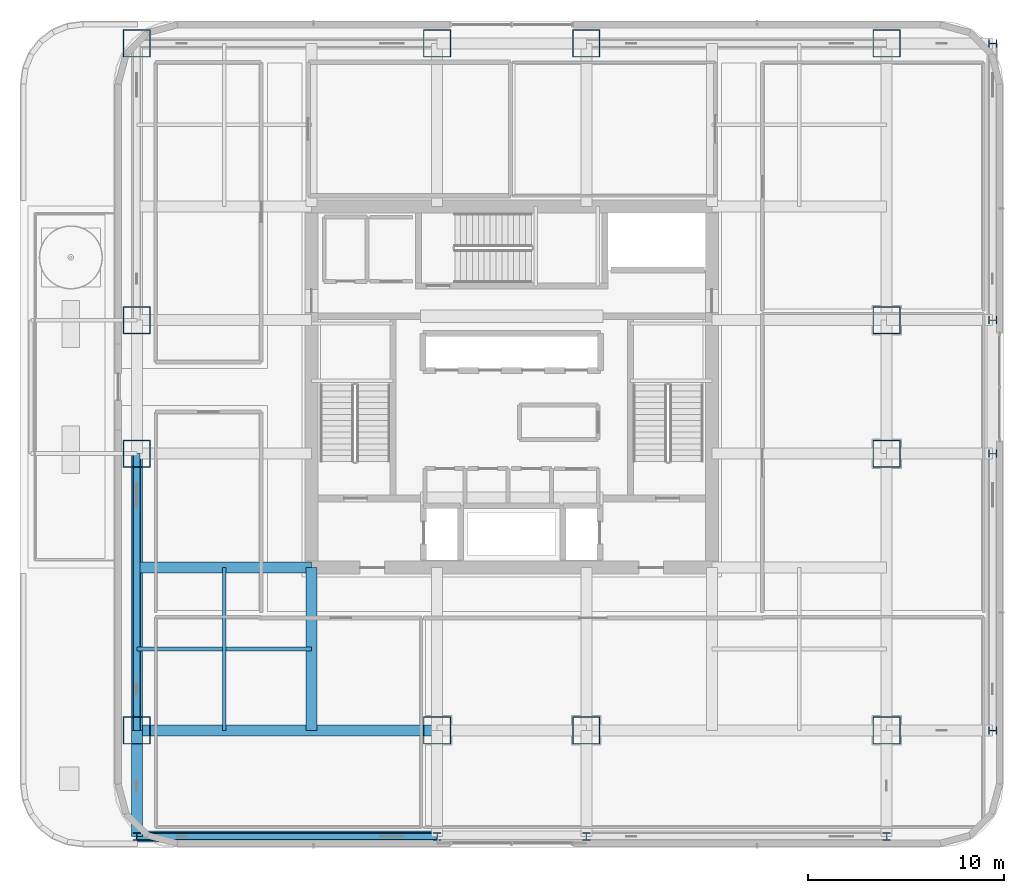
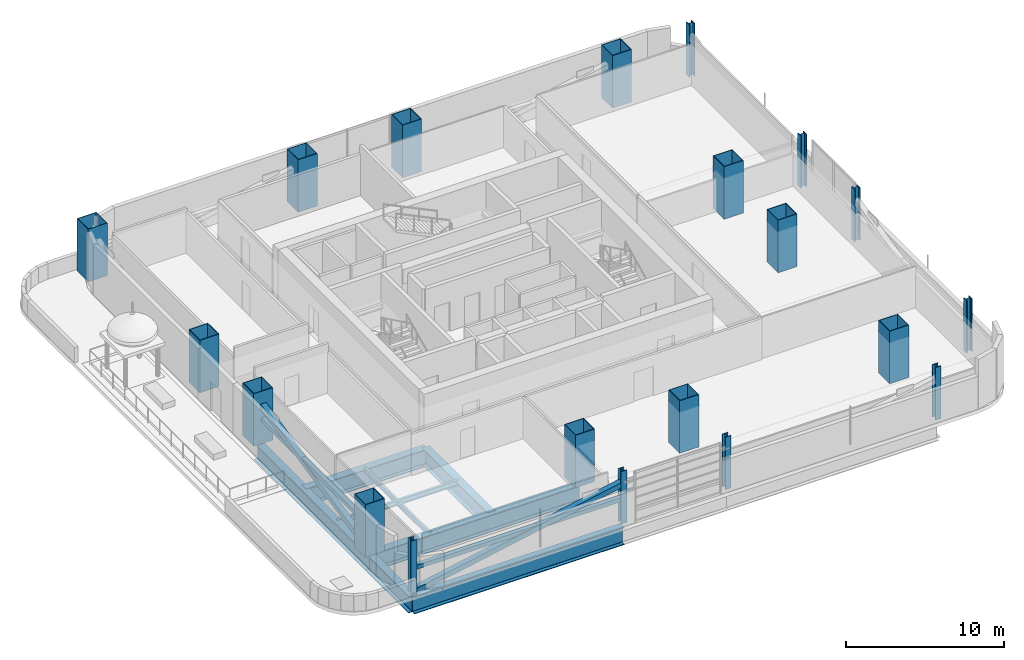
# One storey, part 1 of 27: 20 columns, 8 beams, 4 members.
"""IFC4 building model written with IfcOpenShell, lengths in metres."""

from ifc_helpers import new_model, si_unit, direction, frame, origin, origin_2d, place, context, subcontext, project, spatial, hollow_rectangle, i_section, extrude, material, material_profile, profile_set, type_object, element, save


model = new_model("IFC4")

# Units and contexts
model_context = context("Model", 3, precision=1e-05, world=origin(), true_north=direction((0.0, 1.0)))
body_context = subcontext(model_context, "Body", "Model", "MODEL_VIEW")
ifc_project = project(units=[si_unit("LENGTHUNIT", "METRE"), si_unit("AREAUNIT", "SQUARE_METRE"), si_unit("VOLUMEUNIT", "CUBIC_METRE"), si_unit("PLANEANGLEUNIT", "RADIAN"), si_unit("MASSUNIT", "GRAM", prefix="KILO")], contexts=[model_context])

# Site, building, storey
site_placement = place(None, origin())
site = spatial("IfcSite", under=ifc_project, at=site_placement, CompositionType="ELEMENT")
building_placement = place(site_placement, origin())
building = spatial("IfcBuilding", under=site, at=building_placement, Name="Punatoya Terracotta Tower", CompositionType="ELEMENT")
storey_placement = place(building_placement, frame((0.0, 0.0, 204.60009765625)))
storey = spatial("IfcBuildingStorey", under=building, at=storey_placement, Name="L48", CompositionType="ELEMENT", Elevation=204.60009765625)

# Columns
ifc_material_1 = material(Name="Steel S460", Category="steel")
ifc_material_profile_1 = material_profile(ifc_material_1, i_section(OverallWidth=0.408935546875, OverallDepth=0.425048828125, WebThickness=0.031982421875, FlangeThickness=0.052001953125, FilletRadius=0.01806640625, at=origin_2d()))
ifc_profile_set_1 = profile_set([ifc_material_profile_1], Name="Steel S460")
column_type_1 = type_object("IfcColumnType", Name="COL-EX-M2", PredefinedType="COLUMN", material=ifc_profile_set_1)
for number, where, z_axis, x_axis, name in (
    (1, (-19.10009765625, -22.89990234375, 0.0), (0.0, 0.0, 1.0), (1.0, 0.0, 0.0), "L48 Exoskeleton Perimeter Column S1"),
    (2, (-3.800048828125, -22.89990234375, 0.0), (0.0, 0.0, 1.0), (1.0, 0.0, 0.0), "L48 Exoskeleton Perimeter Column S2"),
    (3, (3.800048828125, -22.89990234375, 0.0), (0.0, 0.0, 1.0), (1.0, 0.0, 0.0), "L48 Exoskeleton Perimeter Column S3"),
    (4, (19.10009765625, -22.89990234375, 0.0), (0.0, 0.0, 1.0), (1.0, 0.0, 0.0), "L48 Exoskeleton Perimeter Column S4"),
    (5, (24.5, -17.5, 0.0), (0.0, 0.0, 1.0), (0.0, 1.0, 0.0), "L48 Exoskeleton Perimeter Column E1"),
    (6, (24.5, -3.39990234375, 0.0), (0.0, 0.0, 1.0), (0.0, 1.0, 0.0), "L48 Exoskeleton Perimeter Column E2"),
    (7, (24.5, 3.39990234375, 0.0), (0.0, 0.0, 1.0), (0.0, 1.0, 0.0), "L48 Exoskeleton Perimeter Column E3"),
    (8, (24.5, 17.5, 0.0), (0.0, 0.0, 1.0), (0.0, 1.0, 0.0), "L48 Exoskeleton Perimeter Column E4"),
):
    element("IfcColumn", number, at=place(storey_placement, frame(where, z_axis=z_axis, x_axis=x_axis)), inside=storey, type_object=column_type_1, Name=name, PredefinedType="COLUMN", context=body_context, shape_type="SweptSolid", body=[
        extrude(i_section(OverallWidth=0.408935546875, OverallDepth=0.425048828125, WebThickness=0.031982421875, FlangeThickness=0.052001953125, FilletRadius=0.01806640625, at=origin_2d()), origin(), (0.0, 0.0, 1.0), 4.0478515625),
    ])
ifc_material_profile_2 = material_profile(ifc_material_1, hollow_rectangle(XDim=1.39990234375, YDim=1.39990234375, WallThickness=0.0419921875, at=origin_2d()))
ifc_profile_set_2 = profile_set([ifc_material_profile_2], Name="Steel S460")
column_type_2 = type_object("IfcColumnType", Name="COL-MC-Z2", PredefinedType="COLUMN", material=ifc_profile_set_2)
for number, where, z_axis, x_axis, name in (
    (9, (-19.10009765625, -17.5, 0.0), (0.0, 0.0, 1.0), (1.0, 0.0, 0.0), "L48 Composite Mega-Column MC-01 (3-B)"),
    (10, (-3.800048828125, -17.5, 0.0), (0.0, 0.0, 1.0), (1.0, 0.0, 0.0), "L48 Composite Mega-Column MC-02 (5-B)"),
    (11, (3.800048828125, -17.5, 0.0), (0.0, 0.0, 1.0), (1.0, 0.0, 0.0), "L48 Composite Mega-Column MC-03 (7-B)"),
    (12, (19.10009765625, -17.5, 0.0), (0.0, 0.0, 1.0), (1.0, 0.0, 0.0), "L48 Composite Mega-Column MC-04 (9-B)"),
    (13, (19.10009765625, -3.39990234375, 0.0), (0.0, 0.0, 1.0), (1.0, 0.0, 0.0), "L48 Composite Mega-Column MC-05 (9-D)"),
    (14, (19.10009765625, 3.39990234375, 0.0), (0.0, 0.0, 1.0), (1.0, 0.0, 0.0), "L48 Composite Mega-Column MC-06 (9-E)"),
    (15, (19.10009765625, 17.5, 0.0), (0.0, 0.0, 1.0), (1.0, 0.0, 0.0), "L48 Composite Mega-Column MC-07 (9-G)"),
    (16, (3.800048828125, 17.5, 0.0), (0.0, 0.0, 1.0), (1.0, 0.0, 0.0), "L48 Composite Mega-Column MC-08 (7-G)"),
    (17, (-3.800048828125, 17.5, 0.0), (0.0, 0.0, 1.0), (1.0, 0.0, 0.0), "L48 Composite Mega-Column MC-09 (5-G)"),
    (18, (-19.10009765625, 17.5, 0.0), (0.0, 0.0, 1.0), (1.0, 0.0, 0.0), "L48 Composite Mega-Column MC-10 (3-G)"),
    (19, (-19.10009765625, 3.39990234375, 0.0), (0.0, 0.0, 1.0), (1.0, 0.0, 0.0), "L48 Composite Mega-Column MC-11 (3-E)"),
    (20, (-19.10009765625, -3.39990234375, 0.0), (0.0, 0.0, 1.0), (1.0, 0.0, 0.0), "L48 Composite Mega-Column MC-12 (3-D)"),
):
    element("IfcColumn", number, at=place(storey_placement, frame(where, z_axis=z_axis, x_axis=x_axis)), inside=storey, type_object=column_type_2, Name=name, PredefinedType="COLUMN", context=body_context, shape_type="SweptSolid", body=[
        extrude(hollow_rectangle(XDim=1.39990234375, YDim=1.39990234375, WallThickness=0.0419921875, at=origin_2d()), origin(), (0.0, 0.0, 1.0), 4.0498046875),
    ])

# Beams
ifc_material_2 = material(Name="Steel S355", Category="steel")
ifc_material_profile_3 = material_profile(ifc_material_2, i_section(OverallWidth=0.179931640625, OverallDepth=0.39990234375, WebThickness=0.008544921875, FlangeThickness=0.013427734375, FilletRadius=0.01806640625, at=origin_2d()))
ifc_profile_set_3 = profile_set([ifc_material_profile_3], Name="Steel S355")
beam_type_1 = type_object("IfcBeamType", Name="BM-SEC-400", PredefinedType="JOIST", material=ifc_profile_set_3)
beam_1_placement = place(storey_placement, frame((-19.10009765625, -13.35009765625, -0.47998046875), z_axis=(1.0, 0.0, 0.0), x_axis=(0.0, 1.0, 0.0)))
element("IfcBeam", 21, at=beam_1_placement, inside=storey, type_object=beam_type_1, Name="BM-L48-SJS-1", PredefinedType="JOIST", context=body_context, shape_type="SweptSolid", body=[
    extrude(i_section(OverallWidth=0.179931640625, OverallDepth=0.39990234375, WebThickness=0.008544921875, FlangeThickness=0.013427734375, FilletRadius=0.01806640625, at=origin_2d()), origin(), (0.0, 0.0, 1.0), 8.900146484375),
])
beam_2_placement = place(storey_placement, frame((-14.64990234375, -17.5, -0.47998046875), z_axis=(0.0, 1.0, 0.0), x_axis=(-1.0, 0.0, 0.0)))
element("IfcBeam", 22, at=beam_2_placement, inside=storey, type_object=beam_type_1, Name="BM-L48-SJW-1", PredefinedType="JOIST", context=body_context, shape_type="SweptSolid", body=[
    extrude(i_section(OverallWidth=0.179931640625, OverallDepth=0.39990234375, WebThickness=0.008544921875, FlangeThickness=0.013427734375, FilletRadius=0.01806640625, at=origin_2d()), origin(), (0.0, 0.0, 1.0), 8.300048828125),
])
ifc_material_profile_4 = material_profile(ifc_material_1, i_section(OverallWidth=0.56005859375, OverallDepth=1.320068359375, WebThickness=0.035888671875, FlangeThickness=0.054931640625, FilletRadius=0.01806640625, at=origin_2d()))
ifc_profile_set_4 = profile_set([ifc_material_profile_4], Name="Steel S460")
beam_type_2 = type_object("IfcBeamType", Name="BM-TG-BLK", PredefinedType="BEAM", material=ifc_profile_set_4)
beam_3_placement = place(storey_placement, frame((-19.10009765625, -17.5, -0.940185546875), z_axis=(1.0, 0.0, 0.0), x_axis=(0.0, 1.0, 0.0)))
element("IfcBeam", 23, at=beam_3_placement, inside=storey, type_object=beam_type_2, Name="BM-L48-RG-S1", PredefinedType="BEAM", context=body_context, shape_type="SweptSolid", body=[
    extrude(i_section(OverallWidth=0.56005859375, OverallDepth=1.320068359375, WebThickness=0.035888671875, FlangeThickness=0.054931640625, FilletRadius=0.01806640625, at=origin_2d()), origin(), (0.0, 0.0, 1.0), 15.300048828125),
])
beam_4_placement = place(storey_placement, frame((-19.10009765625, -17.5, -0.940185546875), z_axis=(0.0, 1.0, 0.0), x_axis=(-1.0, 0.0, 0.0)))
element("IfcBeam", 24, at=beam_4_placement, inside=storey, type_object=beam_type_2, Name="BM-L48-RG-W1", PredefinedType="BEAM", context=body_context, shape_type="SweptSolid", body=[
    extrude(i_section(OverallWidth=0.56005859375, OverallDepth=1.320068359375, WebThickness=0.035888671875, FlangeThickness=0.054931640625, FilletRadius=0.01806640625, at=origin_2d()), origin(), (0.0, 0.0, 1.0), 14.10009765625),
])
beam_5_placement = place(storey_placement, frame((-19.10009765625, -9.199951171875, -0.940185546875), z_axis=(1.0, 0.0, 0.0), x_axis=(0.0, 1.0, 0.0)))
element("IfcBeam", 25, at=beam_5_placement, inside=storey, type_object=beam_type_2, Name="BM-L48-PR-WS", PredefinedType="BEAM", context=body_context, shape_type="SweptSolid", body=[
    extrude(i_section(OverallWidth=0.56005859375, OverallDepth=1.320068359375, WebThickness=0.035888671875, FlangeThickness=0.054931640625, FilletRadius=0.01806640625, at=origin_2d()), origin(), (0.0, 0.0, 1.0), 8.900146484375),
])
beam_6_placement = place(storey_placement, frame((-10.199951171875, -17.5, -0.940185546875), z_axis=(0.0, 1.0, 0.0), x_axis=(-1.0, 0.0, 0.0)))
element("IfcBeam", 26, at=beam_6_placement, inside=storey, type_object=beam_type_2, Name="BM-L48-PR-S1", PredefinedType="BEAM", context=body_context, shape_type="SweptSolid", body=[
    extrude(i_section(OverallWidth=0.56005859375, OverallDepth=1.320068359375, WebThickness=0.035888671875, FlangeThickness=0.054931640625, FilletRadius=0.01806640625, at=origin_2d()), origin(), (0.0, 0.0, 1.0), 8.300048828125),
])
beam_7_placement = place(storey_placement, frame((-19.10009765625, -22.89990234375, -0.940185546875), z_axis=(0.0, 1.0, 0.0), x_axis=(-1.0, 0.0, 0.0)))
element("IfcBeam", 27, at=beam_7_placement, inside=storey, type_object=beam_type_2, Name="BM-L48-CANT-S1", PredefinedType="BEAM", context=body_context, shape_type="SweptSolid", body=[
    extrude(i_section(OverallWidth=0.56005859375, OverallDepth=1.320068359375, WebThickness=0.035888671875, FlangeThickness=0.054931640625, FilletRadius=0.01806640625, at=origin_2d()), origin(), (0.0, 0.0, 1.0), 5.39990234375),
])
beam_8_placement = place(storey_placement, frame((-19.10009765625, -22.89990234375, -0.940185546875), z_axis=(1.0, 0.0, 0.0), x_axis=(0.0, 1.0, 0.0)))
element("IfcBeam", 28, at=beam_8_placement, inside=storey, type_object=beam_type_2, Name="BM-L48-PER-S1", PredefinedType="BEAM", context=body_context, shape_type="SweptSolid", body=[
    extrude(i_section(OverallWidth=0.56005859375, OverallDepth=1.320068359375, WebThickness=0.035888671875, FlangeThickness=0.054931640625, FilletRadius=0.01806640625, at=origin_2d()), origin(), (0.0, 0.0, 1.0), 15.300048828125),
])

# Members
ifc_material_profile_5 = material_profile(ifc_material_1, hollow_rectangle(XDim=0.320068359375, YDim=0.320068359375, WallThickness=0.01806640625, at=origin_2d()))
ifc_profile_set_5 = profile_set([ifc_material_profile_5], Name="Steel S460")
member_type_1 = type_object("IfcMemberType", Name="MEM-CHD-320", PredefinedType="CHORD", material=ifc_profile_set_5)
member_1_placement = place(storey_placement, frame((-19.10009765625, -22.89990234375, 1.849853515625), z_axis=(1.0, 0.0, 0.0), x_axis=(0.0, 1.0, 0.0)))
element("IfcMember", 29, at=member_1_placement, inside=storey, type_object=member_type_1, Name="L48 Exoskeleton Belt Truss Tie Chord S1", PredefinedType="CHORD", context=body_context, shape_type="SweptSolid", body=[
    extrude(hollow_rectangle(XDim=0.320068359375, YDim=0.320068359375, WallThickness=0.01806640625, at=origin_2d()), origin(), (0.0, 0.0, 1.0), 15.300048828125),
])
member_2_placement = place(storey_placement, frame((-19.10009765625, -17.5, 1.849853515625), z_axis=(0.0, 1.0, 0.0), x_axis=(-1.0, 0.0, 0.0)))
element("IfcMember", 30, at=member_2_placement, inside=storey, type_object=member_type_1, Name="L48 Exoskeleton Belt Truss Tie Chord W1", PredefinedType="CHORD", context=body_context, shape_type="SweptSolid", body=[
    extrude(hollow_rectangle(XDim=0.320068359375, YDim=0.320068359375, WallThickness=0.01806640625, at=origin_2d()), origin(), (0.0, 0.0, 1.0), 14.10009765625),
])
ifc_material_profile_6 = material_profile(ifc_material_1, hollow_rectangle(XDim=0.39990234375, YDim=0.39990234375, WallThickness=0.02197265625, at=origin_2d()))
ifc_profile_set_6 = profile_set([ifc_material_profile_6], Name="Steel S460")
member_type_2 = type_object("IfcMemberType", Name="MEM-EXO-400", PredefinedType="BRACE", material=ifc_profile_set_6)
member_3_placement = place(storey_placement, frame((-19.10009765625, -22.89990234375, 0.02001953125), z_axis=(0.981195428699, 0.0, 0.193016918173), x_axis=(0.0, 1.0, 0.0)))
element("IfcMember", 31, at=member_3_placement, inside=storey, type_object=member_type_2, Name="L48 Exoskeleton Belt Brace S1", PredefinedType="BRACE", context=body_context, shape_type="SweptSolid", body=[
    extrude(hollow_rectangle(XDim=0.39990234375, YDim=0.39990234375, WallThickness=0.02197265625, at=origin_2d()), origin(), (0.0, 0.0, 1.0), 15.59326171875),
])
member_4_placement = place(storey_placement, frame((-19.10009765625, -17.5, 0.02001953125), z_axis=(0.0, 0.97796813644, 0.208754219379), x_axis=(-1.0, 0.0, 0.0)))
element("IfcMember", 32, at=member_4_placement, inside=storey, type_object=member_type_2, Name="L48 Exoskeleton Belt Brace W1", PredefinedType="BRACE", context=body_context, shape_type="SweptSolid", body=[
    extrude(hollow_rectangle(XDim=0.39990234375, YDim=0.39990234375, WallThickness=0.02197265625, at=origin_2d()), origin(), (0.0, 0.0, 1.0), 14.417724609375),
])

save(model, "model.ifc")
